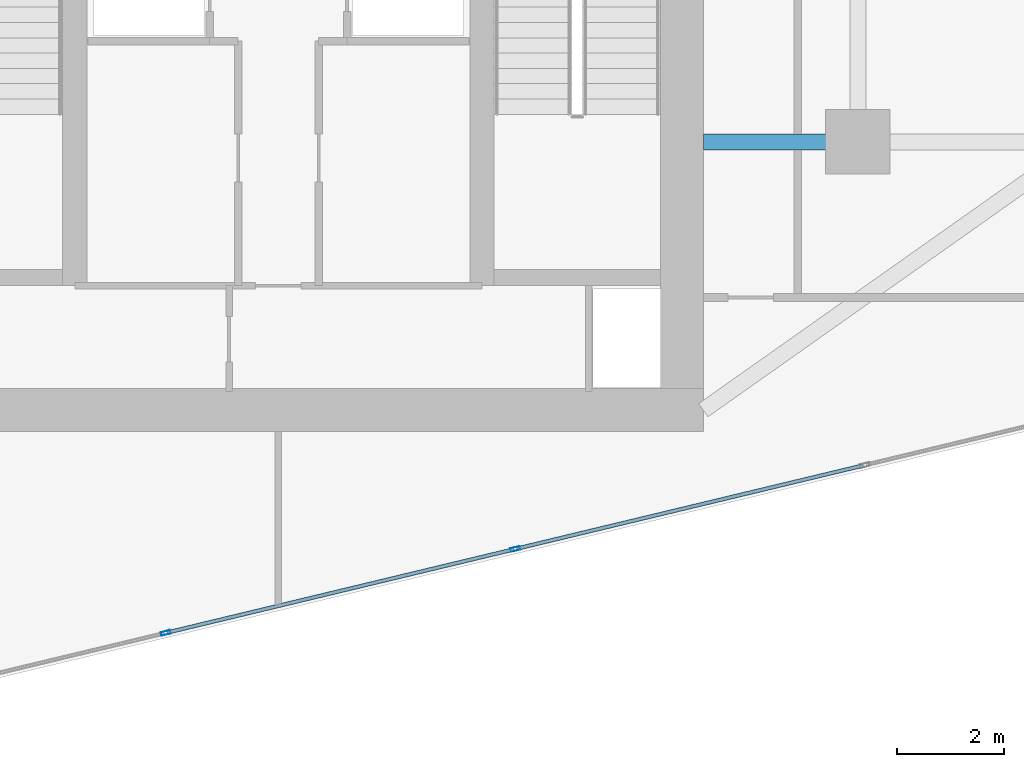
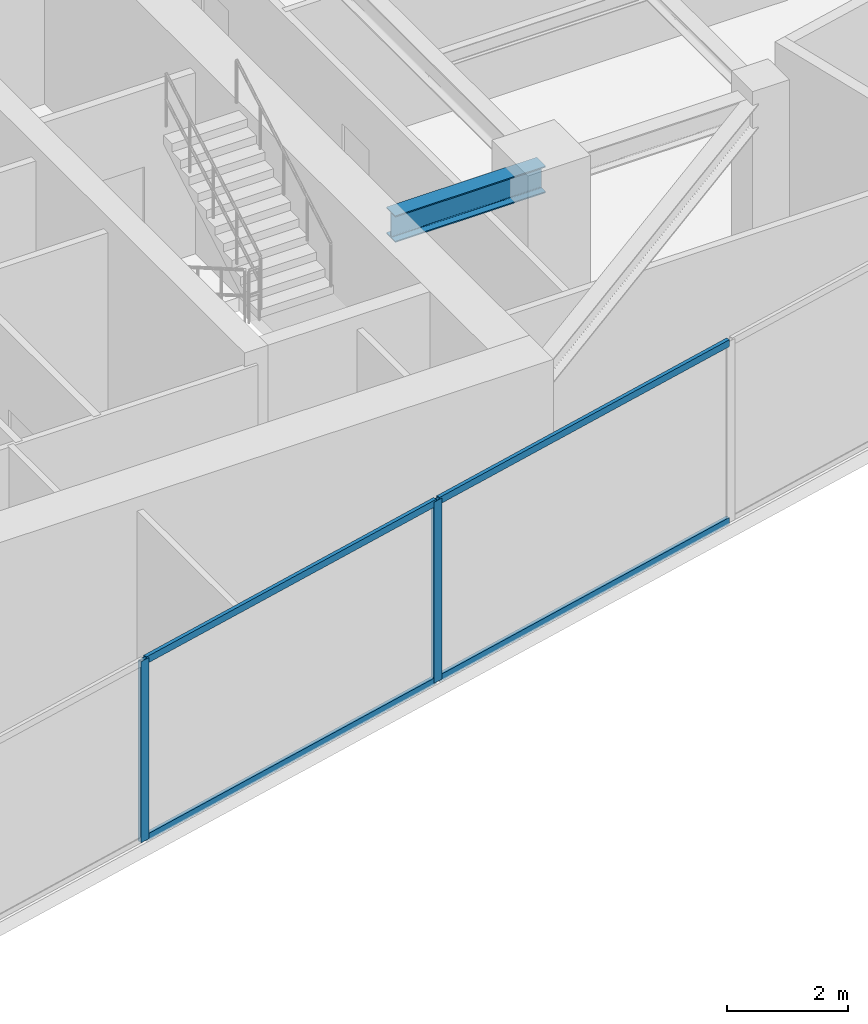
# One storey, part 4 of 22: 6 members, 1 beam, 1 element without a shape of its own.
"""IFC4 building model written with IfcOpenShell, lengths in metres."""

from ifc_helpers import new_model, si_unit, direction, frame, origin, origin_2d, place, context, subcontext, project, spatial, hollow_rectangle, i_section, extrude, source, transform, mapped, material, material_profile, profile_set, type_object, type_shapes, element, aggregate, save


model = new_model("IFC4")

# Units and contexts
model_context = context("Model", 3, precision=1e-05, world=origin(), true_north=direction((0.0, 1.0)))
body_context = subcontext(model_context, "Body", "Model", "MODEL_VIEW")
ifc_project = project(units=[si_unit("LENGTHUNIT", "METRE"), si_unit("AREAUNIT", "SQUARE_METRE"), si_unit("VOLUMEUNIT", "CUBIC_METRE"), si_unit("PLANEANGLEUNIT", "RADIAN"), si_unit("MASSUNIT", "GRAM", prefix="KILO")], contexts=[model_context])

# Site, building, storey
site_placement = place(None, origin())
site = spatial("IfcSite", under=ifc_project, at=site_placement, CompositionType="ELEMENT")
building_placement = place(site_placement, origin())
building = spatial("IfcBuilding", under=site, at=building_placement, Name="Krantzveldt Concourse Tower", CompositionType="ELEMENT")
storey_placement = place(building_placement, frame((0.0, 0.0, 355.35009765625)))
storey = spatial("IfcBuildingStorey", under=building, at=storey_placement, Name="L87", CompositionType="ELEMENT", Elevation=355.35009765625)

# Beam
ifc_material_1 = material(Name="Steel S355JR", Category="steel")
ifc_material_profile_1 = material_profile(ifc_material_1, i_section(OverallWidth=0.300048828125, OverallDepth=0.5400390625, WebThickness=0.012451171875, FlangeThickness=0.02392578125, FilletRadius=0.027099609375, at=origin_2d()), Name="Steel S355JR", Category="steel")
ifc_profile_set_1 = profile_set([ifc_material_profile_1], Name="Steel S355JR - HEA 550")
beam_type = type_object("IfcBeamType", Name="BM-B-HEA550", PredefinedType="BEAM", material=ifc_profile_set_1)
shared_shape_1 = source(origin(), body_context, "Body", "SweptSolid", [
    extrude(i_section(OverallWidth=0.300048828125, OverallDepth=0.5400390625, WebThickness=0.012451171875, FlangeThickness=0.02392578125, FilletRadius=0.027099609375, at=origin_2d()), origin(), (0.0, 0.0, 1.0), 2.880126953125),
])
type_shapes(beam_type, [shared_shape_1])
beam_placement = place(storey_placement, frame((43.919921875, 15.89990234375, 3.39990234375), z_axis=(1.0, 0.0, 0.0), x_axis=(0.0, 1.0, 0.0)))
element("IfcBeam", 1, at=beam_placement, inside=storey, type_object=beam_type, Name="L87 Tower Girder BG-CE1", PredefinedType="BEAM", context=body_context, shape_type="MappedRepresentation", body=[
    mapped(shared_shape_1, transform((0.0, 0.0, 0.0), x_axis=(1.0, 0.0, 0.0), y_axis=(0.0, 1.0, 0.0), z_axis=(0.0, 0.0, 1.0), scale=1.0)),
])

# Curtain wall, members
ifc_material_2 = material(Name="Anodised aluminium 6063-T6", Category="aluminium")
curtain_wall_type = type_object("IfcCurtainWallType", Name="CW4", PredefinedType="USERDEFINED", material=ifc_material_2)
curtain_wall_placement = place(storey_placement, origin())
curtain_wall = element("IfcCurtainWall", 2, at=curtain_wall_placement, inside=storey, type_object=curtain_wall_type, Name="CW-L87-F07", ObjectType="UNITISED CURTAIN WALL", PredefinedType="USERDEFINED")
ifc_material_profile_2 = material_profile(ifc_material_2, hollow_rectangle(XDim=0.070068359375, YDim=0.179931640625, WallThickness=0.0048828125, at=origin_2d()), Name="Anodised aluminium 6063-T6", Category="aluminium")
ifc_profile_set_2 = profile_set([ifc_material_profile_2], Name="Anodised aluminium 6063-T6 - ALU-MULL 180x70x5")
member_type_1 = type_object("IfcMemberType", Name="CW-MUL-180", PredefinedType="MULLION", material=ifc_profile_set_2)
shared_shape_2 = source(origin(), body_context, "Body", "SweptSolid", [
    extrude(hollow_rectangle(XDim=0.070068359375, YDim=0.179931640625, WallThickness=0.0048828125, at=origin_2d()), origin(), (0.0, 0.0, 1.0), 3.669921875),
])
type_shapes(member_type_1, [shared_shape_2])
member_1_placement = place(storey_placement, frame((33.899658203125, 6.748291015625, 0.0), z_axis=(0.0, 0.0, 1.0), x_axis=(-0.233445461796, 0.972369896884, 0.0)))
member_1 = element("IfcMember", 3, at=member_1_placement, type_object=member_type_1, Name="CW-Z56 mullion 2", PredefinedType="MULLION", context=body_context, shape_type="MappedRepresentation", body=[
    mapped(shared_shape_2, transform((0.0, 0.0, 0.0), x_axis=(1.0, 0.0, 0.0), y_axis=(0.0, 1.0, 0.0), z_axis=(0.0, 0.0, 1.0), scale=1.0)),
])
member_2_placement = place(storey_placement, frame((40.41455078125, 8.3125, 0.0), z_axis=(0.0, 0.0, 1.0), x_axis=(-0.233445461796, 0.972369896884, 0.0)))
member_2 = element("IfcMember", 4, at=member_2_placement, type_object=member_type_1, Name="CW-Z56 mullion 3", PredefinedType="MULLION", context=body_context, shape_type="MappedRepresentation", body=[
    mapped(shared_shape_2, transform((0.0, 0.0, 0.0), x_axis=(1.0, 0.0, 0.0), y_axis=(0.0, 1.0, 0.0), z_axis=(0.0, 0.0, 1.0), scale=1.0)),
])
ifc_material_profile_3 = material_profile(ifc_material_2, hollow_rectangle(XDim=0.070068359375, YDim=0.139892578125, WallThickness=0.0048828125, at=origin_2d()), Name="Anodised aluminium 6063-T6", Category="aluminium")
ifc_profile_set_3 = profile_set([ifc_material_profile_3], Name="Anodised aluminium 6063-T6 - ALU-TRAN 140x70x5")
member_type_2 = type_object("IfcMemberType", Name="CW-TRN-150", PredefinedType="USERDEFINED", material=ifc_profile_set_3)
shared_shape_3 = source(origin(), body_context, "Body", "SweptSolid", [
    extrude(hollow_rectangle(XDim=0.070068359375, YDim=0.139892578125, WallThickness=0.0048828125, at=origin_2d()), origin(), (0.0, 0.0, 1.0), 6.6298828125),
])
type_shapes(member_type_2, [shared_shape_3])
member_3_placement = place(storey_placement, frame((33.93359375, 6.756591796875, 0.034912109375), z_axis=(0.972374264437, 0.233427268888, 0.0), x_axis=(-0.233427268888, 0.972374264437, 0.0)))
member_3 = element("IfcMember", 5, at=member_3_placement, type_object=member_type_2, Name="CW-Z56 transom 2.1", ObjectType="TRANSOM", PredefinedType="USERDEFINED", context=body_context, shape_type="MappedRepresentation", body=[
    mapped(shared_shape_3, transform((0.0, 0.0, 0.0), x_axis=(1.0, 0.0, 0.0), y_axis=(0.0, 1.0, 0.0), z_axis=(0.0, 0.0, 1.0), scale=1.0)),
])
member_4_placement = place(storey_placement, frame((33.93359375, 6.756591796875, 3.635009765625), z_axis=(0.972374264437, 0.233427268888, 0.0), x_axis=(-0.233427268888, 0.972374264437, 0.0)))
member_4 = element("IfcMember", 6, at=member_4_placement, type_object=member_type_2, Name="CW-Z56 transom 2.2", ObjectType="TRANSOM", PredefinedType="USERDEFINED", context=body_context, shape_type="MappedRepresentation", body=[
    mapped(shared_shape_3, transform((0.0, 0.0, 0.0), x_axis=(1.0, 0.0, 0.0), y_axis=(0.0, 1.0, 0.0), z_axis=(0.0, 0.0, 1.0), scale=1.0)),
])
member_5_placement = place(storey_placement, frame((40.448486328125, 8.320556640625, 0.034912109375), z_axis=(0.972365905625, 0.233462085953, 0.0), x_axis=(-0.233462085953, 0.972365905625, 0.0)))
member_5 = element("IfcMember", 7, at=member_5_placement, type_object=member_type_2, Name="CW-Z56 transom 3.1", ObjectType="TRANSOM", PredefinedType="USERDEFINED", context=body_context, shape_type="MappedRepresentation", body=[
    mapped(shared_shape_3, transform((0.0, 0.0, 0.0), x_axis=(1.0, 0.0, 0.0), y_axis=(0.0, 1.0, 0.0), z_axis=(0.0, 0.0, 1.0), scale=1.0)),
])
member_6_placement = place(storey_placement, frame((40.448486328125, 8.320556640625, 3.635009765625), z_axis=(0.972365905625, 0.233462085953, 0.0), x_axis=(-0.233462085953, 0.972365905625, 0.0)))
member_6 = element("IfcMember", 8, at=member_6_placement, type_object=member_type_2, Name="CW-Z56 transom 3.2", ObjectType="TRANSOM", PredefinedType="USERDEFINED", context=body_context, shape_type="MappedRepresentation", body=[
    mapped(shared_shape_3, transform((0.0, 0.0, 0.0), x_axis=(1.0, 0.0, 0.0), y_axis=(0.0, 1.0, 0.0), z_axis=(0.0, 0.0, 1.0), scale=1.0)),
])
aggregate(curtain_wall, [member_1, member_2, member_3, member_4, member_5, member_6])

save(model, "model.ifc")
